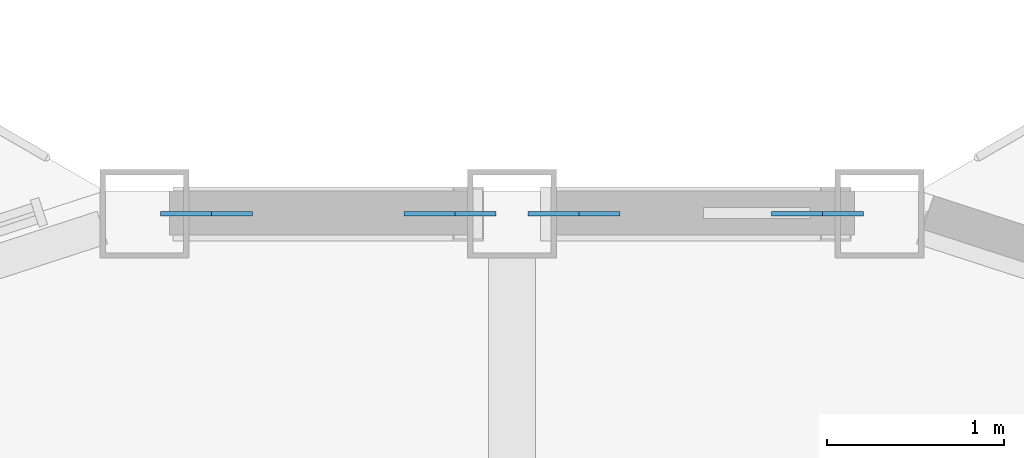
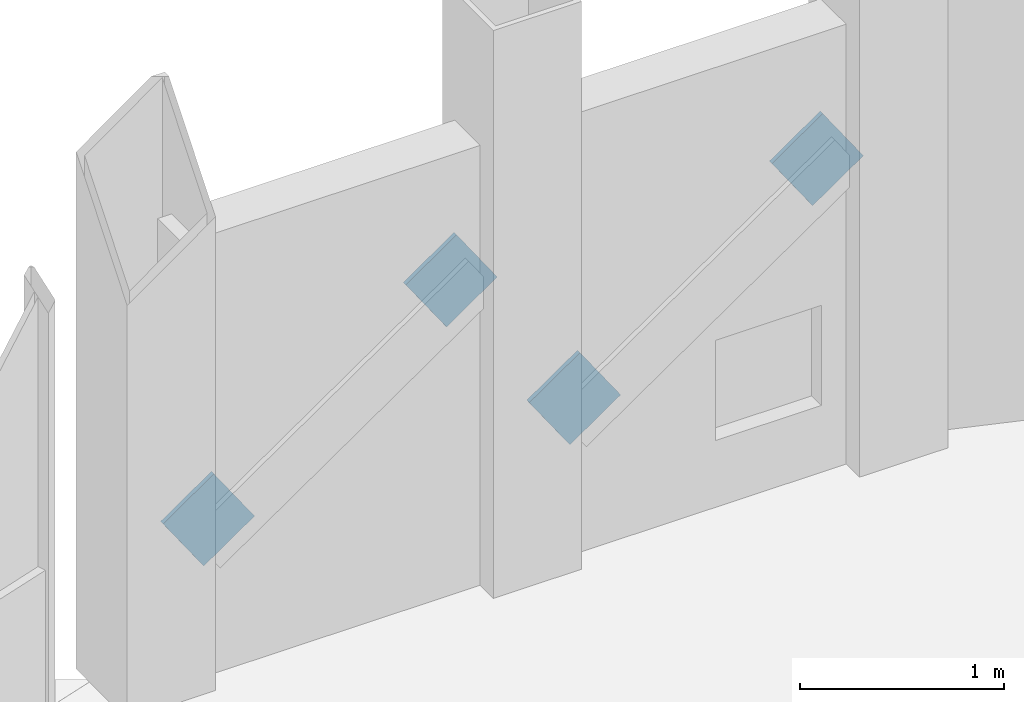
# One storey, part 20 of 25: 4 discrete accessories.
"""IFC4 building model written with IfcOpenShell, lengths in metres."""

from ifc_helpers import new_model, si_unit, direction, frame, origin, origin_2d, place, context, subcontext, project, spatial, rectangle, extrude, material, material_profile, profile_set, type_object, element, save


model = new_model("IFC4")

# Units and contexts
model_context = context("Model", 3, precision=1e-05, world=origin(), true_north=direction((0.0, 1.0)))
body_context = subcontext(model_context, "Body", "Model", "MODEL_VIEW")
ifc_project = project(units=[si_unit("LENGTHUNIT", "METRE"), si_unit("AREAUNIT", "SQUARE_METRE"), si_unit("VOLUMEUNIT", "CUBIC_METRE"), si_unit("PLANEANGLEUNIT", "RADIAN"), si_unit("MASSUNIT", "GRAM", prefix="KILO")], contexts=[model_context])

# Site, building, storey
site_placement = place(None, origin())
site = spatial("IfcSite", under=ifc_project, at=site_placement, CompositionType="ELEMENT")
building_placement = place(site_placement, origin())
building = spatial("IfcBuilding", under=site, at=building_placement, Name="Cormorant Prow Tower", CompositionType="ELEMENT")
storey_placement = place(building_placement, frame((0.0, 0.0, 391.60009765625)))
storey = spatial("IfcBuildingStorey", under=building, at=storey_placement, Name="L89", CompositionType="ELEMENT", Elevation=391.60009765625)

# Discrete accessories
ifc_material = material(Name="Structural steel ASTM A500 Gr C", Category="steel")
ifc_material_profile = material_profile(ifc_material, rectangle(XDim=0.02490234375, YDim=0.405029296875, at=origin_2d()), Name="Gusset plate 25x405")
ifc_profile_set = profile_set([ifc_material_profile], Name="Structural steel ASTM A500 Gr C")
discrete_accessory_type = type_object("IfcDiscreteAccessoryType", Name="Gusset plate 25x405", PredefinedType="BRACKET", material=ifc_profile_set)
for number, where, z_axis, x_axis, name in (
    (1, (0.493408203125, 31.219482421875, 0.941162109375), (-0.822593864641, 0.0, -0.568629346635), (0.0, -1.0, 0.0), "Gusset plate GP3 L89.N00.g0"),
    (2, (1.580322265625, 31.219482421875, 1.692626953125), (0.822593864641, 0.0, 0.568629346635), (0.0, 1.0, 0.0), "Gusset plate GP3 L89.N00.g1"),
    (3, (-1.580322265625, 31.219482421875, 0.941162109375), (-0.822593864641, 0.0, -0.568629346635), (0.0, -1.0, 0.0), "Gusset plate GP3 L89.N01.g0"),
    (4, (-0.493408203125, 31.219482421875, 1.692626953125), (0.822593864641, 0.0, 0.568629346635), (0.0, 1.0, 0.0), "Gusset plate GP3 L89.N01.g1"),
):
    element("IfcDiscreteAccessory", number, at=place(storey_placement, frame(where, z_axis=z_axis, x_axis=x_axis)), inside=storey, type_object=discrete_accessory_type, Name=name, PredefinedType="BRACKET", context=body_context, shape_type="SweptSolid", body=[
        extrude(rectangle(XDim=0.02490234375, YDim=0.405029296875, at=origin_2d()), origin(), (0.0, 0.0, 1.0), 0.349853515625),
    ])

save(model, "model.ifc")
